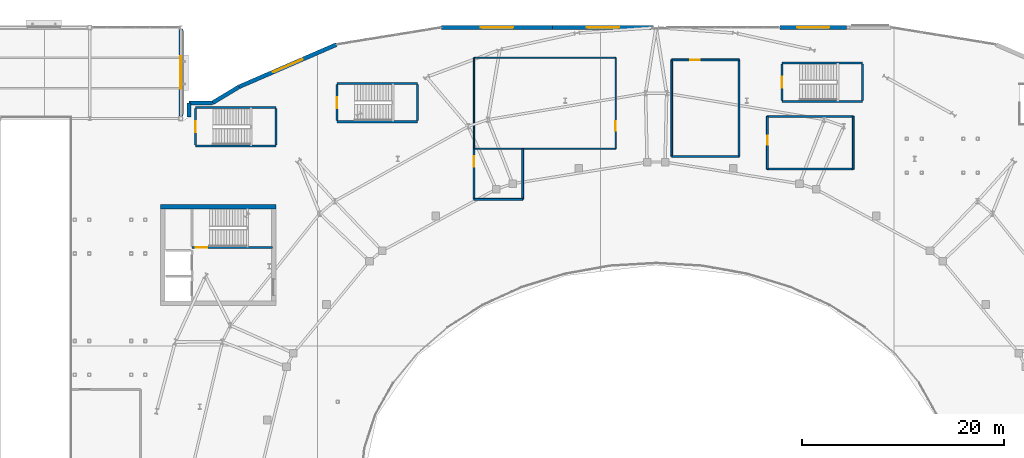
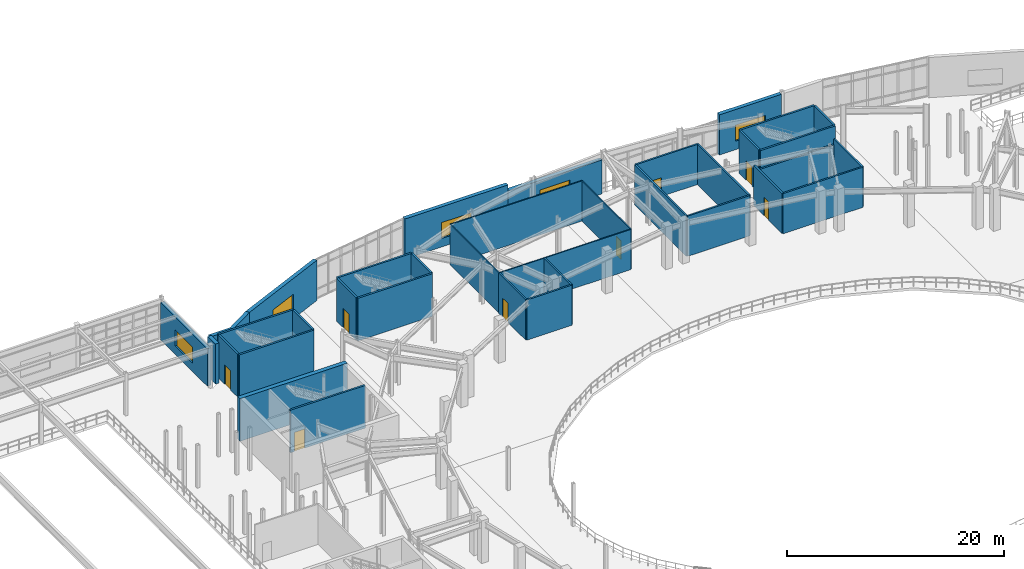
# One storey, part 63 of 86: 37 walls, 8 doors, 5 windows, 13 openings.
"""IFC4 building model written with IfcOpenShell, lengths in metres."""

import ifcopenshell
import ifcopenshell.guid

model = None  # the IFC model being written
_history = None  # IfcOwnerHistory: only IFC2X3 demands one
_inside = {}  # id of a spatial element -> (the spatial element, [elements in it])
_under = {}  # id of a project, library or spatial element -> (it, [spatial elements below it])
_declared = {}  # id of a project -> (the project, [libraries it declares])
_typed = {}  # id of a type object -> (the type object, [elements of that type])
_made_of = {}  # id of a material, layer set ... -> (it, [elements and type objects made of it])


def new_model(schema):
    """Start an empty IFC model of exactly this schema.

    Asked for "IFC4X3", IfcOpenShell would pick the latest addendum, in which some entities
    have other attributes; the version numbers below select the first issue.
    IFC2X3 requires an IfcOwnerHistory on every rooted entity: one is made here for all.
    """
    global model, _history
    if schema == "IFC4X3":
        model = ifcopenshell.file(schema_version=(4, 3, 0, 0))
    else:
        model = ifcopenshell.file(schema=schema)
    _inside.clear()
    _under.clear()
    _declared.clear()
    _typed.clear()
    _made_of.clear()
    _history = None
    if model.schema == "IFC2X3":
        org = make("IfcOrganization", Name="unknown")
        user = make(
            "IfcPersonAndOrganization",
            ThePerson=make("IfcPerson", FamilyName="unknown"),
            TheOrganization=org,
        )
        app = make(
            "IfcApplication",
            ApplicationDeveloper=org,
            Version="unknown",
            ApplicationFullName="unknown",
            ApplicationIdentifier="unknown",
        )
        _history = make(
            "IfcOwnerHistory",
            OwningUser=user,
            OwningApplication=app,
            ChangeAction="ADDED",
            CreationDate=0,
        )
    return model


def make(cls, **values):
    """One entity of the class cls with the attributes given. An attribute that is None is left unset."""
    return model.create_entity(
        cls, **{name: value for name, value in values.items() if value is not None}
    )


def rooted(cls, **values):
    """An entity with a GlobalId (a new one), such as an element, a storey or a relation."""
    return make(cls, GlobalId=ifcopenshell.guid.new(), OwnerHistory=_history, **values)


def si_unit(unit_type, name, prefix=None):
    """IfcSIUnit, for example si_unit("LENGTHUNIT", "METRE", prefix="MILLI")."""
    return make("IfcSIUnit", UnitType=unit_type, Prefix=prefix, Name=name)


def assignment(units):
    """IfcUnitAssignment: the units of a project."""
    return None if units is None else make("IfcUnitAssignment", Units=units)


def point(xyz):
    """IfcCartesianPoint."""
    return None if xyz is None else make("IfcCartesianPoint", Coordinates=xyz)


def direction(xyz):
    """IfcDirection."""
    return None if xyz is None else make("IfcDirection", DirectionRatios=xyz)


def frame(location, z_axis=None, x_axis=None):
    """IfcAxis2Placement3D, a coordinate frame: its origin and axes. An axis left out is left unset."""
    return make(
        "IfcAxis2Placement3D",
        Location=point(location),
        Axis=direction(z_axis),
        RefDirection=direction(x_axis),
    )


def frame_2d(location, x_axis=None):
    """IfcAxis2Placement2D, a coordinate frame in the plane: its origin and x axis."""
    return make(
        "IfcAxis2Placement2D", Location=point(location), RefDirection=direction(x_axis)
    )


def origin():
    """The frame at (0, 0, 0) with its axes left unset."""
    return frame((0.0, 0.0, 0.0))


def place(relative_to, where):
    """IfcLocalPlacement: puts the frame where relative to a parent placement (None: the world)."""
    return make(
        "IfcLocalPlacement", PlacementRelTo=relative_to, RelativePlacement=where
    )


def context(
    kind, dimensions, precision=None, world=None, true_north=None, identifier=None
):
    """IfcGeometricRepresentationContext, for example the 3D "Model" context."""
    return make(
        "IfcGeometricRepresentationContext",
        ContextIdentifier=identifier,
        ContextType=kind,
        CoordinateSpaceDimension=dimensions,
        Precision=precision,
        WorldCoordinateSystem=world,
        TrueNorth=true_north,
    )


def subcontext(parent, identifier, kind, view, scale=None):
    """IfcGeometricRepresentationSubContext, for example "Body" below "Model"."""
    return make(
        "IfcGeometricRepresentationSubContext",
        ContextIdentifier=identifier,
        ContextType=kind,
        ParentContext=parent,
        TargetScale=scale,
        TargetView=view,
    )


def project(units=None, contexts=None):
    """IfcProject with its units and contexts."""
    return rooted(
        "IfcProject",
        Name="project",
        RepresentationContexts=contexts,
        UnitsInContext=assignment(units),
    )


def spatial(cls, under=None, at=None, **own):
    """A site, building, storey or space (cls), placed at a placement, below another one or the project."""
    s = rooted(cls, ObjectPlacement=at, **own)
    if under is not None:
        _under.setdefault(under.id(), (under, []))[1].append(s)
    return s


def profile(cls, at=None, kind="AREA", **sizes):
    """A parametric profile (cls). Its sizes go by their IFC names, for example OverallWidth=200.0."""
    return make(cls, ProfileType=kind, Position=at, **sizes)


def rectangle(**sizes):
    """IfcRectangleProfileDef."""
    return profile("IfcRectangleProfileDef", **sizes)


def extrude(swept, where, along, depth):
    """IfcExtrudedAreaSolid: the profile swept, set in the frame where, extruded along a direction by depth."""
    return make(
        "IfcExtrudedAreaSolid",
        SweptArea=swept,
        Position=where,
        ExtrudedDirection=direction(along),
        Depth=depth,
    )


def shape(context_of_items, identifier, shape_type, items):
    """IfcShapeRepresentation: the items that make up one representation, for example the "Body"."""
    return make(
        "IfcShapeRepresentation",
        ContextOfItems=context_of_items,
        RepresentationIdentifier=identifier,
        RepresentationType=shape_type,
        Items=items,
    )


def material(Name=None, Category=None):
    """IfcMaterial."""
    return make("IfcMaterial", Name=Name, Category=Category)


def layer(
    of_material, thickness, ventilated=None, Name=None, Category=None, Priority=None
):
    """IfcMaterialLayer: one layer of a wall or slab, of a material (None: an air gap)."""
    return make(
        "IfcMaterialLayer",
        Material=of_material,
        LayerThickness=thickness,
        IsVentilated=ventilated,
        Name=Name,
        Category=Category,
        Priority=Priority,
    )


def layer_set(layers, Name=None):
    """IfcMaterialLayerSet."""
    return make("IfcMaterialLayerSet", MaterialLayers=layers, LayerSetName=Name)


def made_of(thing, what):
    """Note that an element or type object is made of a material, layer set ...; save() writes the relation."""
    if what is not None:
        _made_of.setdefault(what.id(), (what, []))[1].append(thing)
    return thing


def type_object(cls, material=None, **own):
    """A type object (cls), such as IfcWallType, which elements share."""
    return made_of(rooted(cls, **own), material)


def element(
    cls,
    number,
    at=None,
    inside=None,
    cuts=None,
    type_object=None,
    material=None,
    context=None,
    identifier="Body",
    shape_type=None,
    held_by="IfcProductDefinitionShape",
    body=None,
    shapes=None,
    **own,
):
    """One element of the class cls, such as IfcWall. Its Tag is "e" and its number.

    at: its placement. inside: the storey or other place that contains it. cuts: it is an
    opening in that element (IfcRelVoidsElement). A single representation is given by context,
    identifier, shape_type and body (its items); several are given by shapes. held_by: the class
    of the entity that holds the representations. save() writes the other relations.
    """
    e = rooted(cls, Tag="e%d" % number, ObjectPlacement=at, **own)
    if body is not None:
        shapes = [shape(context, identifier, shape_type, body)]
    if shapes is not None:
        e.Representation = make(held_by, Representations=shapes)
    if inside is not None:
        _inside.setdefault(inside.id(), (inside, []))[1].append(e)
    if cuts is not None:
        rooted(
            "IfcRelVoidsElement", RelatingBuildingElement=cuts, RelatedOpeningElement=e
        )
    if type_object is not None:
        _typed.setdefault(type_object.id(), (type_object, []))[1].append(e)
    return made_of(e, material)


def fill(opening, filler):
    """IfcRelFillsElement: the door or window that sits in an opening."""
    return rooted(
        "IfcRelFillsElement",
        RelatingOpeningElement=opening,
        RelatedBuildingElement=filler,
    )


def aggregate(whole, parts):
    """IfcRelAggregates: a whole, such as a stair, and the parts it consists of."""
    return rooted("IfcRelAggregates", RelatingObject=whole, RelatedObjects=parts)


def save(model, path):
    """Write the relations noted so far, then the file.

    IfcRelAggregates (storeys below a building ...), IfcRelContainedInSpatialStructure (elements
    in a storey), IfcRelDefinesByType, IfcRelAssociatesMaterial and IfcRelDeclares: one each for
    every whole, place, type object, material and project.
    """
    for whole, parts in _under.values():
        aggregate(whole, parts)
    for where, things in _inside.values():
        rooted(
            "IfcRelContainedInSpatialStructure",
            RelatedElements=things,
            RelatingStructure=where,
        )
    for kind, things in _typed.values():
        rooted("IfcRelDefinesByType", RelatedObjects=things, RelatingType=kind)
    for what, things in _made_of.values():
        rooted("IfcRelAssociatesMaterial", RelatedObjects=things, RelatingMaterial=what)
    for by, libraries in _declared.values():
        rooted("IfcRelDeclares", RelatingContext=by, RelatedDefinitions=libraries)
    model.write(path)


model = new_model("IFC4")

# Units and contexts
model_context = context("Model", 3, precision=1e-05, world=origin(), true_north=direction((0.0, 1.0)))
body_context = subcontext(model_context, "Body", "Model", "MODEL_VIEW")
ifc_project = project(units=[si_unit("LENGTHUNIT", "METRE"), si_unit("AREAUNIT", "SQUARE_METRE"), si_unit("VOLUMEUNIT", "CUBIC_METRE"), si_unit("PLANEANGLEUNIT", "RADIAN"), si_unit("MASSUNIT", "GRAM", prefix="KILO")], contexts=[model_context])

# Site, building, storey
site_placement = place(None, origin())
site = spatial("IfcSite", under=ifc_project, at=site_placement, CompositionType="ELEMENT")
building_placement = place(site_placement, origin())
building = spatial("IfcBuilding", under=site, at=building_placement, Name="Glasvene Arena", CompositionType="ELEMENT")
storey_placement = place(building_placement, frame((0.0, 0.0, 5.39990234375)))
storey = spatial("IfcBuildingStorey", under=building, at=storey_placement, Name="L01", CompositionType="ELEMENT", Elevation=5.39990234375)

# Wall
ifc_material_1 = material(Name="Concrete C40/50", Category="concrete")
ifc_layer_1 = layer(ifc_material_1, 0.449951171875)
ifc_layer_set_1 = layer_set([ifc_layer_1], Name="Concrete C40/50")
wall_type_1 = type_object("IfcWallType", Name="WL-CORE-450", PredefinedType="SHEAR", material=ifc_layer_set_1)
wall_1_placement = place(storey_placement, frame((43.0, 100.27490234375, 0.0), z_axis=(0.0, 0.0, 1.0), x_axis=(1.0, 0.0, 0.0)))
element("IfcWall", 1, at=wall_1_placement, inside=storey, type_object=wall_type_1, Name="Core C1 North-West shear wall N L01", PredefinedType="SHEAR", context=body_context, shape_type="SweptSolid", body=[
    extrude(rectangle(XDim=11.39990234375, YDim=0.449951171875, at=frame_2d((5.699951171875, 0.0))), origin(), (0.0, 0.0, 1.0), 4.800048828125),
])

# Wall, opening, window
ifc_material_2 = material(Name="Coursed pale Irish limestone", Category="masonry")
ifc_layer_2 = layer(ifc_material_2, 0.39990234375)
ifc_layer_set_2 = layer_set([ifc_layer_2], Name="Coursed pale Irish limestone")
wall_type_2 = type_object("IfcWallType", Name="WL-EXT-LIM-400", PredefinedType="STANDARD", material=ifc_layer_set_2)
wall_2_placement = place(storey_placement, frame((45.0, 117.837646484375, 0.0), z_axis=(0.0, 0.0, 1.0), x_axis=(0.0, -1.0, 0.0)))
wall_2 = element("IfcWall", 2, at=wall_2_placement, inside=storey, type_object=wall_type_2, Name="External facade wall EW-L01-0068", PredefinedType="STANDARD", context=body_context, shape_type="SweptSolid", body=[
    extrude(rectangle(XDim=8.607177734375, YDim=0.39990234375, at=frame_2d((4.3037109375, 0.0))), origin(), (0.0, 0.0, 1.0), 4.215087890625),
])
opening_1_placement = place(wall_2_placement, frame((2.7041015625, 0.0, 0.949951171875)))
opening_1 = element("IfcOpeningElement", 3, at=opening_1_placement, cuts=wall_2, Name="Opening W-03", PredefinedType="OPENING", context=body_context, shape_type="SweptSolid", body=[
    extrude(rectangle(XDim=3.199951171875, YDim=1.800048828125, at=frame_2d((1.60009765625, 0.89990234375))), frame((0.0, 0.2099609375, 0.0), z_axis=(0.0, -1.0, 0.0), x_axis=(1.0, 0.0, 0.0)), (0.0, 0.0, 1.0), 0.419921875),
])
ifc_material_3 = material(Name="Low-emissivity laminated double glazing", Category="glass")
window_type = type_object("IfcWindowType", Name="WN-CONC-320x180", PartitioningType="TRIPLE_PANEL_VERTICAL", PredefinedType="WINDOW", material=ifc_material_3)
window_1_placement = place(opening_1_placement, origin())
window_1 = element("IfcWindow", 4, at=window_1_placement, inside=storey, type_object=window_type, Name="Facade window WN-CONC-320x180 L01-0024", OverallHeight=1.800048828125, OverallWidth=3.199951171875, PartitioningType="SINGLE_PANEL", PredefinedType="WINDOW", context=body_context, shape_type="SweptSolid", body=[
    extrude(rectangle(XDim=3.199951171875, YDim=1.800048828125, at=frame_2d((1.60009765625, 0.89990234375))), frame((0.0, 0.030029296875, 0.0), z_axis=(0.0, -1.0, 0.0), x_axis=(1.0, 0.0, 0.0)), (0.0, 0.0, 1.0), 0.06005859375),
])
fill(opening_1, window_1)

# Walls
wall_3_placement = place(storey_placement, frame((45.800048828125, 109.1357421875, 0.0), z_axis=(0.0, 0.0, 1.0), x_axis=(0.0, 1.0, 0.0)))
element("IfcWall", 5, at=wall_3_placement, inside=storey, type_object=wall_type_2, Name="External facade wall EW-L01-0069", PredefinedType="STANDARD", context=body_context, shape_type="SweptSolid", body=[
    extrude(rectangle(XDim=1.414306640625, YDim=0.39990234375, at=frame_2d((0.70703125, 0.0))), origin(), (0.0, 0.0, 1.0), 4.52001953125),
])
wall_4_placement = place(storey_placement, frame((45.800048828125, 110.550048828125, 0.0), z_axis=(0.0, 0.0, 1.0), x_axis=(1.0, 0.0, 0.0)))
element("IfcWall", 6, at=wall_4_placement, inside=storey, type_object=wall_type_2, Name="External facade wall EW-L01-0070", PredefinedType="STANDARD", context=body_context, shape_type="SweptSolid", body=[
    extrude(rectangle(XDim=2.339599609375, YDim=0.39990234375, at=frame_2d((1.169921875, 0.0))), origin(), (0.0, 0.0, 1.0), 4.52001953125),
])
wall_5_placement = place(storey_placement, frame((48.1396484375, 110.550048828125, 0.0), z_axis=(0.0, 0.0, 1.0), x_axis=(0.855818752803, 0.517275808782, 0.0)))
element("IfcWall", 7, at=wall_5_placement, inside=storey, type_object=wall_type_2, Name="External facade wall EW-L01-0071", PredefinedType="STANDARD", context=body_context, shape_type="SweptSolid", body=[
    extrude(rectangle(XDim=3.070556640625, YDim=0.39990234375, at=frame_2d((1.53515625, 0.0))), origin(), (0.0, 0.0, 1.0), 4.52001953125),
])

# Wall, opening, window
wall_6_placement = place(storey_placement, frame((50.767578125, 112.138427734375, 0.0), z_axis=(0.0, 0.0, 1.0), x_axis=(0.917436013805, 0.397883350461, 0.0)))
wall_6 = element("IfcWall", 8, at=wall_6_placement, inside=storey, type_object=wall_type_2, Name="External facade wall EW-L01-0072", PredefinedType="STANDARD", context=body_context, shape_type="SweptSolid", body=[
    extrude(rectangle(XDim=10.478515625, YDim=0.39990234375, at=frame_2d((5.2392578125, 0.0))), origin(), (0.0, 0.0, 1.0), 4.52001953125),
])
opening_2_placement = place(wall_6_placement, frame((3.638916015625, 0.0, 0.949951171875)))
opening_2 = element("IfcOpeningElement", 9, at=opening_2_placement, cuts=wall_6, Name="Opening W-03", PredefinedType="OPENING", context=body_context, shape_type="SweptSolid", body=[
    extrude(rectangle(XDim=3.199951171875, YDim=1.800048828125, at=frame_2d((1.60009765625, 0.89990234375))), frame((0.0, 0.2099609375, 0.0), z_axis=(0.0, -1.0, 0.0), x_axis=(1.0, 0.0, 0.0)), (0.0, 0.0, 1.0), 0.419921875),
])
window_2_placement = place(opening_2_placement, origin())
window_2 = element("IfcWindow", 10, at=window_2_placement, inside=storey, type_object=window_type, Name="Facade window WN-CONC-320x180 L01-0025", OverallHeight=1.800048828125, OverallWidth=3.199951171875, PartitioningType="SINGLE_PANEL", PredefinedType="WINDOW", context=body_context, shape_type="SweptSolid", body=[
    extrude(rectangle(XDim=3.199951171875, YDim=1.800048828125, at=frame_2d((1.60009765625, 0.89990234375))), frame((0.0, 0.030029296875, 0.0), z_axis=(0.0, -1.0, 0.0), x_axis=(1.0, 0.0, 0.0)), (0.0, 0.0, 1.0), 0.06005859375),
])
fill(opening_2, window_2)

wall_7_placement = place(storey_placement, frame((70.797119140625, 118.0, 0.0), z_axis=(0.0, 0.0, 1.0), x_axis=(1.0, 0.0, 0.0)))
wall_7 = element("IfcWall", 11, at=wall_7_placement, inside=storey, type_object=wall_type_2, Name="External facade wall EW-L01-0073", PredefinedType="STANDARD", context=body_context, shape_type="SweptSolid", body=[
    extrude(rectangle(XDim=10.963134765625, YDim=0.39990234375, at=frame_2d((5.4814453125, 0.0))), origin(), (0.0, 0.0, 1.0), 4.52001953125),
])
opening_3_placement = place(wall_7_placement, frame((3.882080078125, 0.0, 0.949951171875)))
opening_3 = element("IfcOpeningElement", 12, at=opening_3_placement, cuts=wall_7, Name="Opening W-03", PredefinedType="OPENING", context=body_context, shape_type="SweptSolid", body=[
    extrude(rectangle(XDim=3.199951171875, YDim=1.800048828125, at=frame_2d((1.60009765625, 0.89990234375))), frame((0.0, 0.2099609375, 0.0), z_axis=(0.0, -1.0, 0.0), x_axis=(1.0, 0.0, 0.0)), (0.0, 0.0, 1.0), 0.419921875),
])
window_3_placement = place(opening_3_placement, origin())
window_3 = element("IfcWindow", 13, at=window_3_placement, inside=storey, type_object=window_type, Name="Facade window WN-CONC-320x180 L01-0026", OverallHeight=1.800048828125, OverallWidth=3.199951171875, PartitioningType="SINGLE_PANEL", PredefinedType="WINDOW", context=body_context, shape_type="SweptSolid", body=[
    extrude(rectangle(XDim=3.199951171875, YDim=1.800048828125, at=frame_2d((1.60009765625, 0.89990234375))), frame((0.0, 0.030029296875, 0.0), z_axis=(0.0, -1.0, 0.0), x_axis=(1.0, 0.0, 0.0)), (0.0, 0.0, 1.0), 0.06005859375),
])
fill(opening_3, window_3)

wall_8_placement = place(storey_placement, frame((81.76025390625, 118.0, 0.0), z_axis=(0.0, 0.0, 1.0), x_axis=(1.0, 0.0, 0.0)))
wall_8 = element("IfcWall", 14, at=wall_8_placement, inside=storey, type_object=wall_type_2, Name="External facade wall EW-L01-0074", PredefinedType="STANDARD", context=body_context, shape_type="SweptSolid", body=[
    extrude(rectangle(XDim=9.975830078125, YDim=0.39990234375, at=frame_2d((4.98779296875, 0.0))), origin(), (0.0, 0.0, 1.0), 3.83154296875),
])
opening_4_placement = place(wall_8_placement, frame((3.387939453125, 0.0, 0.949951171875)))
opening_4 = element("IfcOpeningElement", 15, at=opening_4_placement, cuts=wall_8, Name="Opening W-03", PredefinedType="OPENING", context=body_context, shape_type="SweptSolid", body=[
    extrude(rectangle(XDim=3.199951171875, YDim=1.800048828125, at=frame_2d((1.60009765625, 0.89990234375))), frame((0.0, 0.2099609375, 0.0), z_axis=(0.0, -1.0, 0.0), x_axis=(1.0, 0.0, 0.0)), (0.0, 0.0, 1.0), 0.419921875),
])
window_4_placement = place(opening_4_placement, origin())
window_4 = element("IfcWindow", 16, at=window_4_placement, inside=storey, type_object=window_type, Name="Facade window WN-CONC-320x180 L01-0027", OverallHeight=1.800048828125, OverallWidth=3.199951171875, PartitioningType="SINGLE_PANEL", PredefinedType="WINDOW", context=body_context, shape_type="SweptSolid", body=[
    extrude(rectangle(XDim=3.199951171875, YDim=1.800048828125, at=frame_2d((1.60009765625, 0.89990234375))), frame((0.0, 0.030029296875, 0.0), z_axis=(0.0, -1.0, 0.0), x_axis=(1.0, 0.0, 0.0)), (0.0, 0.0, 1.0), 0.06005859375),
])
fill(opening_4, window_4)

wall_9_placement = place(storey_placement, frame((104.23974609375, 118.0, 0.0), z_axis=(0.0, 0.0, 1.0), x_axis=(1.0, 0.0, 0.0)))
wall_9 = element("IfcWall", 17, at=wall_9_placement, inside=storey, type_object=wall_type_2, Name="External facade wall EW-L01-0075", PredefinedType="STANDARD", context=body_context, shape_type="SweptSolid", body=[
    extrude(rectangle(XDim=6.608154296875, YDim=0.39990234375, at=frame_2d((3.30419921875, 0.0))), origin(), (0.0, 0.0, 1.0), 4.52001953125),
])
opening_5_placement = place(wall_9_placement, frame((1.7041015625, 0.0, 0.949951171875)))
opening_5 = element("IfcOpeningElement", 18, at=opening_5_placement, cuts=wall_9, Name="Opening W-03", PredefinedType="OPENING", context=body_context, shape_type="SweptSolid", body=[
    extrude(rectangle(XDim=3.199951171875, YDim=1.800048828125, at=frame_2d((1.60009765625, 0.89990234375))), frame((0.0, 0.2099609375, 0.0), z_axis=(0.0, -1.0, 0.0), x_axis=(1.0, 0.0, 0.0)), (0.0, 0.0, 1.0), 0.419921875),
])
window_5_placement = place(opening_5_placement, origin())
window_5 = element("IfcWindow", 19, at=window_5_placement, inside=storey, type_object=window_type, Name="Facade window WN-CONC-320x180 L01-0028", OverallHeight=1.800048828125, OverallWidth=3.199951171875, PartitioningType="SINGLE_PANEL", PredefinedType="WINDOW", context=body_context, shape_type="SweptSolid", body=[
    extrude(rectangle(XDim=3.199951171875, YDim=1.800048828125, at=frame_2d((1.60009765625, 0.89990234375))), frame((0.0, 0.030029296875, 0.0), z_axis=(0.0, -1.0, 0.0), x_axis=(1.0, 0.0, 0.0)), (0.0, 0.0, 1.0), 0.06005859375),
])
fill(opening_5, window_5)

# Wall
ifc_material_4 = material(Name="Lightweight gypsum metal-stud partition")
ifc_layer_3 = layer(ifc_material_4, 0.1201171875)
ifc_layer_set_3 = layer_set([ifc_layer_3], Name="Lightweight gypsum metal-stud partition")
wall_type_3 = type_object("IfcWallType", Name="WL-PART-120", PredefinedType="PARTITIONING", material=ifc_layer_set_3)
wall_10_placement = place(storey_placement, frame((74.0, 115.0, 0.0), z_axis=(0.0, 0.0, 1.0), x_axis=(1.0, 0.0, 0.0)))
element("IfcWall", 20, at=wall_10_placement, inside=storey, type_object=wall_type_3, Name="Interior partition wall IW-L01-0160 (First Aid and Crowd Welfare Suite)", PredefinedType="PARTITIONING", context=body_context, shape_type="SweptSolid", body=[
    extrude(rectangle(XDim=14.0, YDim=0.1201171875, at=frame_2d((7.0, 0.0))), origin(), (0.0, 0.0, 1.0), 4.52001953125),
])

# Wall, opening, door
wall_11_placement = place(storey_placement, frame((88.0, 115.0, 0.0), z_axis=(0.0, 0.0, 1.0), x_axis=(0.0, -1.0, 0.0)))
wall_11 = element("IfcWall", 21, at=wall_11_placement, inside=storey, type_object=wall_type_3, Name="Interior partition wall IW-L01-0161 (First Aid and Crowd Welfare Suite)", PredefinedType="PARTITIONING", context=body_context, shape_type="SweptSolid", body=[
    extrude(rectangle(XDim=9.0, YDim=0.1201171875, at=frame_2d((4.5, 0.0))), origin(), (0.0, 0.0, 1.0), 4.52001953125),
])
opening_6_placement = place(wall_11_placement, frame((6.27490234375, 0.0, 0.0)))
opening_6 = element("IfcOpeningElement", 22, at=opening_6_placement, cuts=wall_11, Name="Opening D-07", PredefinedType="OPENING", context=body_context, shape_type="SweptSolid", body=[
    extrude(rectangle(XDim=0.949951171875, YDim=2.10009765625, at=frame_2d((0.47509765625, 1.050048828125))), frame((0.0, 0.070068359375, 0.0), z_axis=(0.0, -1.0, 0.0), x_axis=(1.0, 0.0, 0.0)), (0.0, 0.0, 1.0), 0.14013671875),
])
ifc_material_5 = material(Name="European oak fire-resisting timber", Category="wood")
door_type_1 = type_object("IfcDoorType", Name="DR-FD30-950", OperationType="NOTDEFINED", PredefinedType="DOOR", material=ifc_material_5)
door_1_placement = place(opening_6_placement, origin())
door_1 = element("IfcDoor", 23, at=door_1_placement, inside=storey, type_object=door_type_1, Name="Interior door DR-FD30-950 (First Aid and Crowd Welfare Suite)", OperationType="SINGLE_SWING_LEFT", OverallHeight=2.10009765625, OverallWidth=0.949951171875, PredefinedType="DOOR", context=body_context, shape_type="SweptSolid", body=[
    extrude(rectangle(XDim=0.949951171875, YDim=2.10009765625, at=frame_2d((0.47509765625, 1.050048828125))), frame((0.0, 0.02490234375, 0.0), z_axis=(0.0, -1.0, 0.0), x_axis=(1.0, 0.0, 0.0)), (0.0, 0.0, 1.0), 0.050048828125),
])
fill(opening_6, door_1)

# Walls
wall_12_placement = place(storey_placement, frame((88.0, 106.0, 0.0), z_axis=(0.0, 0.0, 1.0), x_axis=(-1.0, 0.0, 0.0)))
element("IfcWall", 24, at=wall_12_placement, inside=storey, type_object=wall_type_3, Name="Interior partition wall IW-L01-0162 (First Aid and Crowd Welfare Suite)", PredefinedType="PARTITIONING", context=body_context, shape_type="SweptSolid", body=[
    extrude(rectangle(XDim=14.0, YDim=0.1201171875, at=frame_2d((7.0, 0.0))), origin(), (0.0, 0.0, 1.0), 4.52001953125),
])
wall_13_placement = place(storey_placement, frame((74.0, 106.0, 0.0), z_axis=(0.0, 0.0, 1.0), x_axis=(0.0, 1.0, 0.0)))
element("IfcWall", 25, at=wall_13_placement, inside=storey, type_object=wall_type_3, Name="Interior partition wall IW-L01-0163 (First Aid and Crowd Welfare Suite)", PredefinedType="PARTITIONING", context=body_context, shape_type="SweptSolid", body=[
    extrude(rectangle(XDim=9.0, YDim=0.1201171875, at=frame_2d((4.5, 0.0))), origin(), (0.0, 0.0, 1.0), 4.52001953125),
])

# Wall, opening, door
ifc_layer_4 = layer(ifc_material_1, 0.199951171875)
ifc_layer_set_4 = layer_set([ifc_layer_4], Name="Concrete C40/50")
wall_type_4 = type_object("IfcWallType", Name="WL-SHAFT-200", PredefinedType="SHEAR", material=ifc_layer_set_4)
wall_14_placement = place(storey_placement, frame((46.10009765625, 96.22998046875, 0.0), z_axis=(0.0, 0.0, 1.0), x_axis=(1.0, 0.0, 0.0)))
wall_14 = element("IfcWall", 26, at=wall_14_placement, inside=storey, type_object=wall_type_4, Name="Escape stair shaft wall ST-01 L01 S", PredefinedType="SHEAR", context=body_context, shape_type="SweptSolid", body=[
    extrude(rectangle(XDim=7.949951171875, YDim=0.199951171875, at=frame_2d((3.97509765625, 0.0))), origin(), (0.0, 0.0, 1.0), 4.800048828125),
])
opening_7_placement = place(wall_14_placement, frame((0.39990234375, 0.0, 0.0)))
opening_7 = element("IfcOpeningElement", 27, at=opening_7_placement, cuts=wall_14, Name="Opening D-04", PredefinedType="OPENING", context=body_context, shape_type="SweptSolid", body=[
    extrude(rectangle(XDim=1.10009765625, YDim=2.14990234375, at=frame_2d((0.550048828125, 1.074951171875))), frame((0.0, 0.10986328125, 0.0), z_axis=(0.0, -1.0, 0.0), x_axis=(1.0, 0.0, 0.0)), (0.0, 0.0, 1.0), 0.219970703125),
])
ifc_material_6 = material(Name="Painted fire-resisting steel", Category="steel")
door_type_2 = type_object("IfcDoorType", Name="DR-FD60-1100", OperationType="NOTDEFINED", PredefinedType="DOOR", material=ifc_material_6)
door_2_placement = place(opening_7_placement, frame((1.10009765625, 0.0, 0.0), z_axis=(0.0, 0.0, 1.0), x_axis=(-1.0, 0.0, 0.0)))
door_2 = element("IfcDoor", 28, at=door_2_placement, inside=storey, type_object=door_type_2, Name="Protected escape stair door ST-01 L01", OperationType="SINGLE_SWING_RIGHT", OverallHeight=2.14990234375, OverallWidth=1.10009765625, PredefinedType="DOOR", context=body_context, shape_type="SweptSolid", body=[
    extrude(rectangle(XDim=1.10009765625, YDim=2.14990234375, at=frame_2d((0.550048828125, 1.074951171875))), frame((0.0, 0.02490234375, 0.0), z_axis=(0.0, -1.0, 0.0), x_axis=(1.0, 0.0, 0.0)), (0.0, 0.0, 1.0), 0.050048828125),
])
fill(opening_7, door_2)

# Wall
wall_15_placement = place(storey_placement, frame((60.449951171875, 108.679931640625, 0.0), z_axis=(0.0, 0.0, 1.0), x_axis=(1.0, 0.0, 0.0)))
element("IfcWall", 29, at=wall_15_placement, inside=storey, type_object=wall_type_4, Name="Escape stair shaft wall ST-10 L01 S", PredefinedType="SHEAR", context=body_context, shape_type="SweptSolid", body=[
    extrude(rectangle(XDim=7.949951171875, YDim=0.199951171875, at=frame_2d((3.97509765625, 0.0))), origin(), (0.0, 0.0, 1.0), 4.800048828125),
])

# Wall, opening, door
wall_16_placement = place(storey_placement, frame((60.449951171875, 108.781982421875, 0.0), z_axis=(0.0, 0.0, 1.0), x_axis=(0.0, 1.0, 0.0)))
wall_16 = element("IfcWall", 30, at=wall_16_placement, inside=storey, type_object=wall_type_4, Name="Escape stair shaft wall ST-10 L01 W", PredefinedType="SHEAR", context=body_context, shape_type="SweptSolid", body=[
    extrude(rectangle(XDim=3.5859375, YDim=0.199951171875, at=frame_2d((1.79296875, 0.0))), origin(), (0.0, 0.0, 1.0), 4.800048828125),
])
opening_8_placement = place(wall_16_placement, frame((1.242919921875, 0.0, 0.0)))
opening_8 = element("IfcOpeningElement", 31, at=opening_8_placement, cuts=wall_16, Name="Opening D-04", PredefinedType="OPENING", context=body_context, shape_type="SweptSolid", body=[
    extrude(rectangle(XDim=1.10009765625, YDim=2.14990234375, at=frame_2d((0.550048828125, 1.074951171875))), frame((0.0, 0.10986328125, 0.0), z_axis=(0.0, -1.0, 0.0), x_axis=(1.0, 0.0, 0.0)), (0.0, 0.0, 1.0), 0.219970703125),
])
door_3_placement = place(opening_8_placement, frame((1.10009765625, 0.0, 0.0), z_axis=(0.0, 0.0, 1.0), x_axis=(-1.0, 0.0, 0.0)))
door_3 = element("IfcDoor", 32, at=door_3_placement, inside=storey, type_object=door_type_2, Name="Protected escape stair door ST-10 L01", OperationType="SINGLE_SWING_RIGHT", OverallHeight=2.14990234375, OverallWidth=1.10009765625, PredefinedType="DOOR", context=body_context, shape_type="SweptSolid", body=[
    extrude(rectangle(XDim=1.10009765625, YDim=2.14990234375, at=frame_2d((0.550048828125, 1.074951171875))), frame((0.0, 0.02490234375, 0.0), z_axis=(0.0, -1.0, 0.0), x_axis=(1.0, 0.0, 0.0)), (0.0, 0.0, 1.0), 0.050048828125),
])
fill(opening_8, door_3)

# Walls
wall_17_placement = place(storey_placement, frame((68.39990234375, 108.781982421875, 0.0), z_axis=(0.0, 0.0, 1.0), x_axis=(0.0, 1.0, 0.0)))
element("IfcWall", 33, at=wall_17_placement, inside=storey, type_object=wall_type_4, Name="Escape stair shaft wall ST-10 L01 E", PredefinedType="SHEAR", context=body_context, shape_type="SweptSolid", body=[
    extrude(rectangle(XDim=3.5859375, YDim=0.199951171875, at=frame_2d((1.79296875, 0.0))), origin(), (0.0, 0.0, 1.0), 4.800048828125),
])
for number, where, z_axis, x_axis, name in (
    (34, (60.449951171875, 112.469970703125, 0.0), (0.0, 0.0, 1.0), (1.0, 0.0, 0.0), "Escape stair shaft wall ST-10 L01 N"),
    (35, (104.449951171875, 110.679931640625, 0.0), (0.0, 0.0, 1.0), (1.0, 0.0, 0.0), "Escape stair shaft wall ST-11 L01 S"),
):
    element("IfcWall", number, at=place(storey_placement, frame(where, z_axis=z_axis, x_axis=x_axis)), inside=storey, type_object=wall_type_4, Name=name, PredefinedType="SHEAR", context=body_context, shape_type="SweptSolid", body=[
        extrude(rectangle(XDim=7.949951171875, YDim=0.199951171875, at=frame_2d((3.97509765625, 0.0))), origin(), (0.0, 0.0, 1.0), 4.800048828125),
    ])

# Wall, opening, door
wall_18_placement = place(storey_placement, frame((104.449951171875, 110.781982421875, 0.0), z_axis=(0.0, 0.0, 1.0), x_axis=(0.0, 1.0, 0.0)))
wall_18 = element("IfcWall", 36, at=wall_18_placement, inside=storey, type_object=wall_type_4, Name="Escape stair shaft wall ST-11 L01 W", PredefinedType="SHEAR", context=body_context, shape_type="SweptSolid", body=[
    extrude(rectangle(XDim=3.5859375, YDim=0.199951171875, at=frame_2d((1.79296875, 0.0))), origin(), (0.0, 0.0, 1.0), 4.800048828125),
])
opening_9_placement = place(wall_18_placement, frame((1.242919921875, 0.0, 0.0)))
opening_9 = element("IfcOpeningElement", 37, at=opening_9_placement, cuts=wall_18, Name="Opening D-04", PredefinedType="OPENING", context=body_context, shape_type="SweptSolid", body=[
    extrude(rectangle(XDim=1.10009765625, YDim=2.14990234375, at=frame_2d((0.550048828125, 1.074951171875))), frame((0.0, 0.10986328125, 0.0), z_axis=(0.0, -1.0, 0.0), x_axis=(1.0, 0.0, 0.0)), (0.0, 0.0, 1.0), 0.219970703125),
])
door_4_placement = place(opening_9_placement, frame((1.10009765625, 0.0, 0.0), z_axis=(0.0, 0.0, 1.0), x_axis=(-1.0, 0.0, 0.0)))
door_4 = element("IfcDoor", 38, at=door_4_placement, inside=storey, type_object=door_type_2, Name="Protected escape stair door ST-11 L01", OperationType="SINGLE_SWING_RIGHT", OverallHeight=2.14990234375, OverallWidth=1.10009765625, PredefinedType="DOOR", context=body_context, shape_type="SweptSolid", body=[
    extrude(rectangle(XDim=1.10009765625, YDim=2.14990234375, at=frame_2d((0.550048828125, 1.074951171875))), frame((0.0, 0.02490234375, 0.0), z_axis=(0.0, -1.0, 0.0), x_axis=(1.0, 0.0, 0.0)), (0.0, 0.0, 1.0), 0.050048828125),
])
fill(opening_9, door_4)

# Walls
wall_19_placement = place(storey_placement, frame((112.39990234375, 110.781982421875, 0.0), z_axis=(0.0, 0.0, 1.0), x_axis=(0.0, 1.0, 0.0)))
element("IfcWall", 39, at=wall_19_placement, inside=storey, type_object=wall_type_4, Name="Escape stair shaft wall ST-11 L01 E", PredefinedType="SHEAR", context=body_context, shape_type="SweptSolid", body=[
    extrude(rectangle(XDim=3.5859375, YDim=0.199951171875, at=frame_2d((1.79296875, 0.0))), origin(), (0.0, 0.0, 1.0), 4.800048828125),
])
for number, where, z_axis, x_axis, name in (
    (40, (104.449951171875, 114.469970703125, 0.0), (0.0, 0.0, 1.0), (1.0, 0.0, 0.0), "Escape stair shaft wall ST-11 L01 N"),
    (41, (46.449951171875, 106.280029296875, 0.0), (0.0, 0.0, 1.0), (1.0, 0.0, 0.0), "Escape stair shaft wall ST-12 L01 S"),
):
    element("IfcWall", number, at=place(storey_placement, frame(where, z_axis=z_axis, x_axis=x_axis)), inside=storey, type_object=wall_type_4, Name=name, PredefinedType="SHEAR", context=body_context, shape_type="SweptSolid", body=[
        extrude(rectangle(XDim=7.949951171875, YDim=0.199951171875, at=frame_2d((3.97509765625, 0.0))), origin(), (0.0, 0.0, 1.0), 4.800048828125),
    ])

# Wall, opening, door
wall_20_placement = place(storey_placement, frame((46.449951171875, 106.382080078125, 0.0), z_axis=(0.0, 0.0, 1.0), x_axis=(0.0, 1.0, 0.0)))
wall_20 = element("IfcWall", 42, at=wall_20_placement, inside=storey, type_object=wall_type_4, Name="Escape stair shaft wall ST-12 L01 W", PredefinedType="SHEAR", context=body_context, shape_type="SweptSolid", body=[
    extrude(rectangle(XDim=3.5859375, YDim=0.199951171875, at=frame_2d((1.79296875, 0.0))), origin(), (0.0, 0.0, 1.0), 4.800048828125),
])
opening_10_placement = place(wall_20_placement, frame((1.242919921875, 0.0, 0.0)))
opening_10 = element("IfcOpeningElement", 43, at=opening_10_placement, cuts=wall_20, Name="Opening D-04", PredefinedType="OPENING", context=body_context, shape_type="SweptSolid", body=[
    extrude(rectangle(XDim=1.10009765625, YDim=2.14990234375, at=frame_2d((0.550048828125, 1.074951171875))), frame((0.0, 0.10986328125, 0.0), z_axis=(0.0, -1.0, 0.0), x_axis=(1.0, 0.0, 0.0)), (0.0, 0.0, 1.0), 0.219970703125),
])
door_5_placement = place(opening_10_placement, frame((1.10009765625, 0.0, 0.0), z_axis=(0.0, 0.0, 1.0), x_axis=(-1.0, 0.0, 0.0)))
door_5 = element("IfcDoor", 44, at=door_5_placement, inside=storey, type_object=door_type_2, Name="Protected escape stair door ST-12 L01", OperationType="SINGLE_SWING_RIGHT", OverallHeight=2.14990234375, OverallWidth=1.10009765625, PredefinedType="DOOR", context=body_context, shape_type="SweptSolid", body=[
    extrude(rectangle(XDim=1.10009765625, YDim=2.14990234375, at=frame_2d((0.550048828125, 1.074951171875))), frame((0.0, 0.02490234375, 0.0), z_axis=(0.0, -1.0, 0.0), x_axis=(1.0, 0.0, 0.0)), (0.0, 0.0, 1.0), 0.050048828125),
])
fill(opening_10, door_5)

# Walls
wall_21_placement = place(storey_placement, frame((54.39990234375, 106.382080078125, 0.0), z_axis=(0.0, 0.0, 1.0), x_axis=(0.0, 1.0, 0.0)))
element("IfcWall", 45, at=wall_21_placement, inside=storey, type_object=wall_type_4, Name="Escape stair shaft wall ST-12 L01 E", PredefinedType="SHEAR", context=body_context, shape_type="SweptSolid", body=[
    extrude(rectangle(XDim=3.5859375, YDim=0.199951171875, at=frame_2d((1.79296875, 0.0))), origin(), (0.0, 0.0, 1.0), 4.800048828125),
])
wall_22_placement = place(storey_placement, frame((46.449951171875, 110.070068359375, 0.0), z_axis=(0.0, 0.0, 1.0), x_axis=(1.0, 0.0, 0.0)))
element("IfcWall", 46, at=wall_22_placement, inside=storey, type_object=wall_type_4, Name="Escape stair shaft wall ST-12 L01 N", PredefinedType="SHEAR", context=body_context, shape_type="SweptSolid", body=[
    extrude(rectangle(XDim=7.949951171875, YDim=0.199951171875, at=frame_2d((3.97509765625, 0.0))), origin(), (0.0, 0.0, 1.0), 4.800048828125),
])
ifc_material_7 = material(Name="Moisture-resistant masonry blockwork", Category="masonry")
ifc_layer_5 = layer(ifc_material_7, 0.179931640625)
ifc_layer_set_5 = layer_set([ifc_layer_5], Name="Moisture-resistant masonry blockwork")
wall_type_5 = type_object("IfcWallType", Name="WL-WET-180", PredefinedType="PARTITIONING", material=ifc_layer_set_5)
wall_23_placement = place(storey_placement, frame((100.199951171875, 105.25, 0.0), z_axis=(0.0, 0.0, 1.0), x_axis=(0.0, 1.0, 0.0)))
element("IfcWall", 47, at=wall_23_placement, inside=storey, type_object=wall_type_5, Name="Interior partition wall IW-L01-0164 (L01 North Public Male WC)", PredefinedType="PARTITIONING", context=body_context, shape_type="SweptSolid", body=[
    extrude(rectangle(XDim=9.550048828125, YDim=0.179931640625, at=frame_2d((4.77490234375, 0.0))), origin(), (0.0, 0.0, 1.0), 4.52001953125),
])

# Wall, opening, door
wall_24_placement = place(storey_placement, frame((100.199951171875, 114.800048828125, 0.0), z_axis=(0.0, 0.0, 1.0), x_axis=(-1.0, 0.0, 0.0)))
wall_24 = element("IfcWall", 48, at=wall_24_placement, inside=storey, type_object=wall_type_5, Name="Interior partition wall IW-L01-0165 (L01 North Public Male WC)", PredefinedType="PARTITIONING", context=body_context, shape_type="SweptSolid", body=[
    extrude(rectangle(XDim=6.64990234375, YDim=0.179931640625, at=frame_2d((3.324951171875, 0.0))), origin(), (0.0, 0.0, 1.0), 4.52001953125),
])
opening_11_placement = place(wall_24_placement, frame((3.905029296875, 0.0, 0.0)))
opening_11 = element("IfcOpeningElement", 49, at=opening_11_placement, cuts=wall_24, Name="Opening D-13", PredefinedType="OPENING", context=body_context, shape_type="SweptSolid", body=[
    extrude(rectangle(XDim=0.89990234375, YDim=2.10009765625, at=frame_2d((0.449951171875, 1.050048828125))), frame((0.0, 0.10009765625, 0.0), z_axis=(0.0, -1.0, 0.0), x_axis=(1.0, 0.0, 0.0)), (0.0, 0.0, 1.0), 0.199951171875),
])
ifc_material_8 = material(Name="Moisture-resistant laminate timber", Category="wood")
door_type_3 = type_object("IfcDoorType", Name="DR-WC-900", OperationType="NOTDEFINED", PredefinedType="DOOR", material=ifc_material_8)
door_6_placement = place(opening_11_placement, origin())
door_6 = element("IfcDoor", 50, at=door_6_placement, inside=storey, type_object=door_type_3, Name="Interior door DR-WC-900 (L01 North Public Male WC)", OperationType="SINGLE_SWING_RIGHT", OverallHeight=2.10009765625, OverallWidth=0.89990234375, PredefinedType="DOOR", context=body_context, shape_type="SweptSolid", body=[
    extrude(rectangle(XDim=0.89990234375, YDim=2.10009765625, at=frame_2d((0.449951171875, 1.050048828125))), frame((0.0, 0.02490234375, 0.0), z_axis=(0.0, -1.0, 0.0), x_axis=(1.0, 0.0, 0.0)), (0.0, 0.0, 1.0), 0.050048828125),
])
fill(opening_11, door_6)

# Walls
wall_25_placement = place(storey_placement, frame((93.550048828125, 114.800048828125, 0.0), z_axis=(0.0, 0.0, 1.0), x_axis=(0.0, -1.0, 0.0)))
element("IfcWall", 51, at=wall_25_placement, inside=storey, type_object=wall_type_5, Name="Interior partition wall IW-L01-0166 (L01 North Public Male WC)", PredefinedType="PARTITIONING", context=body_context, shape_type="SweptSolid", body=[
    extrude(rectangle(XDim=9.550048828125, YDim=0.179931640625, at=frame_2d((4.77490234375, 0.0))), origin(), (0.0, 0.0, 1.0), 4.52001953125),
])
wall_26_placement = place(storey_placement, frame((93.550048828125, 105.25, 0.0), z_axis=(0.0, 0.0, 1.0), x_axis=(1.0, 0.0, 0.0)))
element("IfcWall", 52, at=wall_26_placement, inside=storey, type_object=wall_type_5, Name="Interior partition wall IW-L01-0167 (L01 North Public Male WC)", PredefinedType="PARTITIONING", context=body_context, shape_type="SweptSolid", body=[
    extrude(rectangle(XDim=6.64990234375, YDim=0.179931640625, at=frame_2d((3.324951171875, 0.0))), origin(), (0.0, 0.0, 1.0), 4.52001953125),
])
wall_27_placement = place(storey_placement, frame((111.5, 104.0, 0.0), z_axis=(0.0, 0.0, 1.0), x_axis=(0.0, 1.0, 0.0)))
element("IfcWall", 53, at=wall_27_placement, inside=storey, type_object=wall_type_5, Name="Interior partition wall IW-L01-0168 (L01 North Public Female WC)", PredefinedType="PARTITIONING", context=body_context, shape_type="SweptSolid", body=[
    extrude(rectangle(XDim=5.199951171875, YDim=0.179931640625, at=frame_2d((2.60009765625, 0.0))), origin(), (0.0, 0.0, 1.0), 4.52001953125),
])
wall_28_placement = place(storey_placement, frame((111.5, 109.199951171875, 0.0), z_axis=(0.0, 0.0, 1.0), x_axis=(-1.0, 0.0, 0.0)))
element("IfcWall", 54, at=wall_28_placement, inside=storey, type_object=wall_type_5, Name="Interior partition wall IW-L01-0169 (L01 North Public Female WC)", PredefinedType="PARTITIONING", context=body_context, shape_type="SweptSolid", body=[
    extrude(rectangle(XDim=8.5, YDim=0.179931640625, at=frame_2d((4.25, 0.0))), origin(), (0.0, 0.0, 1.0), 3.905029296875),
])

# Wall, opening, door
wall_29_placement = place(storey_placement, frame((103.0, 109.199951171875, 0.0), z_axis=(0.0, 0.0, 1.0), x_axis=(0.0, -1.0, 0.0)))
wall_29 = element("IfcWall", 55, at=wall_29_placement, inside=storey, type_object=wall_type_5, Name="Interior partition wall IW-L01-0170 (L01 North Public Female WC)", PredefinedType="PARTITIONING", context=body_context, shape_type="SweptSolid", body=[
    extrude(rectangle(XDim=5.199951171875, YDim=0.179931640625, at=frame_2d((2.60009765625, 0.0))), origin(), (0.0, 0.0, 1.0), 4.52001953125),
])
opening_12_placement = place(wall_29_placement, frame((1.885986328125, 0.0, 0.0)))
opening_12 = element("IfcOpeningElement", 56, at=opening_12_placement, cuts=wall_29, Name="Opening D-13", PredefinedType="OPENING", context=body_context, shape_type="SweptSolid", body=[
    extrude(rectangle(XDim=0.89990234375, YDim=2.10009765625, at=frame_2d((0.449951171875, 1.050048828125))), frame((0.0, 0.10009765625, 0.0), z_axis=(0.0, -1.0, 0.0), x_axis=(1.0, 0.0, 0.0)), (0.0, 0.0, 1.0), 0.199951171875),
])
door_7_placement = place(opening_12_placement, origin())
door_7 = element("IfcDoor", 57, at=door_7_placement, inside=storey, type_object=door_type_3, Name="Interior door DR-WC-900 (L01 North Public Female WC)", OperationType="SINGLE_SWING_LEFT", OverallHeight=2.10009765625, OverallWidth=0.89990234375, PredefinedType="DOOR", context=body_context, shape_type="SweptSolid", body=[
    extrude(rectangle(XDim=0.89990234375, YDim=2.10009765625, at=frame_2d((0.449951171875, 1.050048828125))), frame((0.0, 0.02490234375, 0.0), z_axis=(0.0, -1.0, 0.0), x_axis=(1.0, 0.0, 0.0)), (0.0, 0.0, 1.0), 0.050048828125),
])
fill(opening_12, door_7)

# Walls
wall_30_placement = place(storey_placement, frame((103.0, 104.0, 0.0), z_axis=(0.0, 0.0, 1.0), x_axis=(1.0, 0.0, 0.0)))
element("IfcWall", 58, at=wall_30_placement, inside=storey, type_object=wall_type_5, Name="Interior partition wall IW-L01-0171 (L01 North Public Female WC)", PredefinedType="PARTITIONING", context=body_context, shape_type="SweptSolid", body=[
    extrude(rectangle(XDim=8.5, YDim=0.179931640625, at=frame_2d((4.25, 0.0))), origin(), (0.0, 0.0, 1.0), 4.52001953125),
])
wall_31_placement = place(storey_placement, frame((78.800048828125, 101.0, 0.0), z_axis=(0.0, 0.0, 1.0), x_axis=(0.0, 1.0, 0.0)))
element("IfcWall", 59, at=wall_31_placement, inside=storey, type_object=wall_type_5, Name="Interior partition wall IW-L01-0172 (L01 Accessible WC)", PredefinedType="PARTITIONING", context=body_context, shape_type="SweptSolid", body=[
    extrude(rectangle(XDim=5.0, YDim=0.179931640625, at=frame_2d((2.5, 0.0))), origin(), (0.0, 0.0, 1.0), 4.52001953125),
])

# Wall, opening, door
wall_32_placement = place(storey_placement, frame((74.0, 106.0, 0.0), z_axis=(0.0, 0.0, 1.0), x_axis=(0.0, -1.0, 0.0)))
wall_32 = element("IfcWall", 60, at=wall_32_placement, inside=storey, type_object=wall_type_5, Name="Interior partition wall IW-L01-0173 (L01 Accessible WC)", PredefinedType="PARTITIONING", context=body_context, shape_type="SweptSolid", body=[
    extrude(rectangle(XDim=5.0, YDim=0.179931640625, at=frame_2d((2.5, 0.0))), origin(), (0.0, 0.0, 1.0), 4.52001953125),
])
opening_13_placement = place(wall_32_placement, frame((0.75, 0.0, 0.0)))
opening_13 = element("IfcOpeningElement", 61, at=opening_13_placement, cuts=wall_32, Name="Opening D-06", PredefinedType="OPENING", context=body_context, shape_type="SweptSolid", body=[
    extrude(rectangle(XDim=1.0, YDim=2.14990234375, at=frame_2d((0.5, 1.074951171875))), frame((0.0, 0.10009765625, 0.0), z_axis=(0.0, -1.0, 0.0), x_axis=(1.0, 0.0, 0.0)), (0.0, 0.0, 1.0), 0.199951171875),
])
door_type_4 = type_object("IfcDoorType", Name="DR-FD30-1000", OperationType="NOTDEFINED", PredefinedType="DOOR", material=ifc_material_5)
door_8_placement = place(opening_13_placement, origin())
door_8 = element("IfcDoor", 62, at=door_8_placement, inside=storey, type_object=door_type_4, Name="Interior door DR-FD30-1000 (L01 Accessible WC)", OperationType="SINGLE_SWING_RIGHT", OverallHeight=2.14990234375, OverallWidth=1.0, PredefinedType="DOOR", context=body_context, shape_type="SweptSolid", body=[
    extrude(rectangle(XDim=1.0, YDim=2.14990234375, at=frame_2d((0.5, 1.074951171875))), frame((0.0, 0.02490234375, 0.0), z_axis=(0.0, -1.0, 0.0), x_axis=(1.0, 0.0, 0.0)), (0.0, 0.0, 1.0), 0.050048828125),
])
fill(opening_13, door_8)

# Wall
wall_33_placement = place(storey_placement, frame((74.0, 101.0, 0.0), z_axis=(0.0, 0.0, 1.0), x_axis=(1.0, 0.0, 0.0)))
element("IfcWall", 63, at=wall_33_placement, inside=storey, type_object=wall_type_5, Name="Interior partition wall IW-L01-0174 (L01 Accessible WC)", PredefinedType="PARTITIONING", context=body_context, shape_type="SweptSolid", body=[
    extrude(rectangle(XDim=4.800048828125, YDim=0.179931640625, at=frame_2d((2.39990234375, 0.0))), origin(), (0.0, 0.0, 1.0), 4.52001953125),
])

save(model, "model.ifc")
